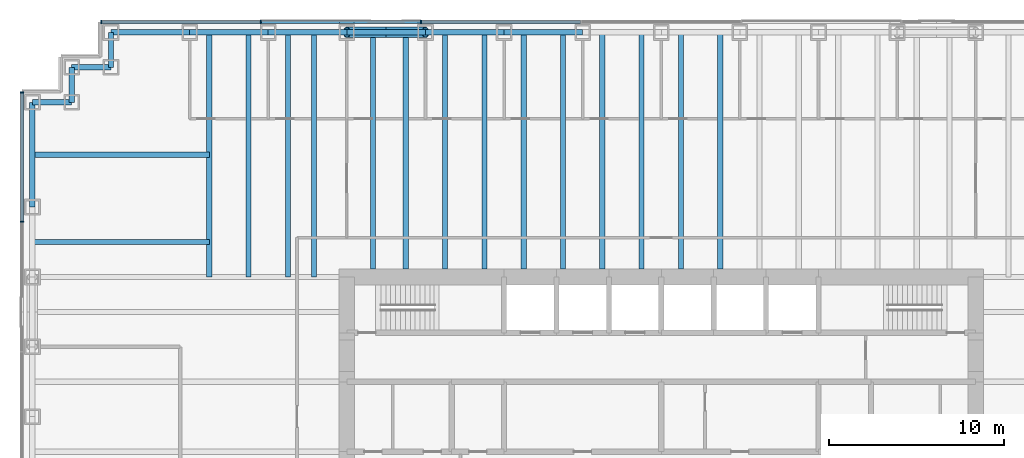
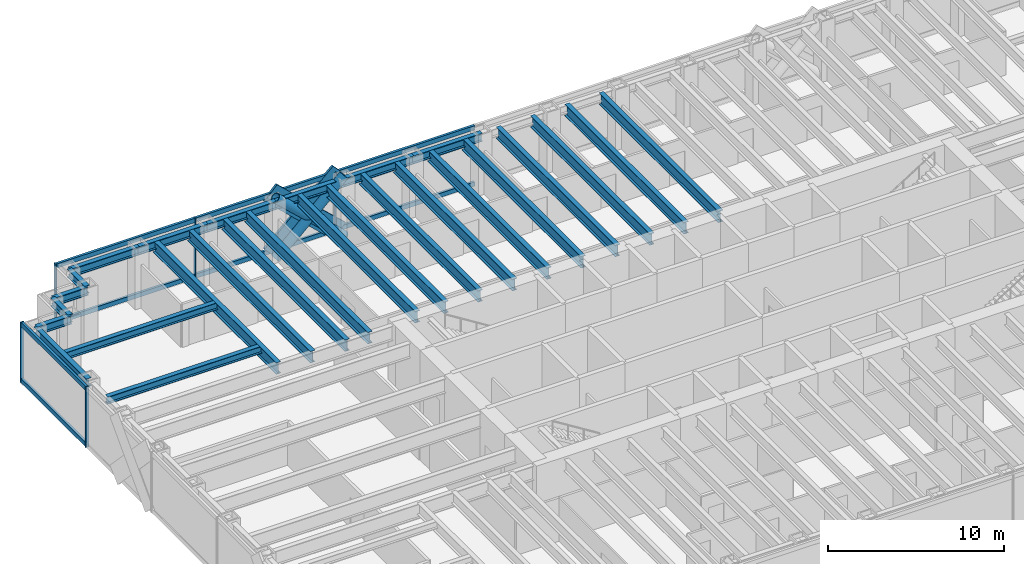
# One storey, part 6 of 19: 27 beams, 17 members, 2 elements without a shape of their own.
"""IFC4 building model written with IfcOpenShell, lengths in metres."""

from ifc_helpers import new_model, si_unit, direction, frame, origin, origin_2d, place, context, subcontext, project, spatial, rectangle, hollow_circle, i_section, extrude, material, material_profile, profile_set, type_object, element, aggregate, save


model = new_model("IFC4")

# Units and contexts
model_context = context("Model", 3, precision=1e-05, world=origin(), true_north=direction((0.0, 1.0)))
body_context = subcontext(model_context, "Body", "Model", "MODEL_VIEW")
ifc_project = project(units=[si_unit("LENGTHUNIT", "METRE"), si_unit("AREAUNIT", "SQUARE_METRE"), si_unit("VOLUMEUNIT", "CUBIC_METRE"), si_unit("PLANEANGLEUNIT", "RADIAN"), si_unit("MASSUNIT", "GRAM", prefix="KILO")], contexts=[model_context])

# Site, building, storey
site_placement = place(None, origin())
site = spatial("IfcSite", under=ifc_project, at=site_placement, CompositionType="ELEMENT")
building_placement = place(site_placement, origin())
building = spatial("IfcBuilding", under=site, at=building_placement, Name="Rheinbord Bourse Tower", CompositionType="ELEMENT")
storey_placement = place(building_placement, frame((0.0, 0.0, 167.699951171875)))
storey = spatial("IfcBuildingStorey", under=building, at=storey_placement, Name="L37", CompositionType="ELEMENT", Elevation=167.699951171875)

# Curtain wall, members
ifc_material_1 = material(Name="Dark glass and black aluminium", Category="aluminium")
curtain_wall_type = type_object("IfcCurtainWallType", Name="CW2 DARK GLASS CURTAIN WALL", PredefinedType="USERDEFINED", material=ifc_material_1)
curtain_wall_1_placement = place(storey_placement, origin())
curtain_wall_1 = element("IfcCurtainWall", 1, at=curtain_wall_1_placement, inside=storey, type_object=curtain_wall_type, Name="Curtain wall CW2 N L37", ObjectType="UNITISED CURTAIN WALL", PredefinedType="USERDEFINED")
ifc_material_2 = material(Name="Black anodised aluminium", Category="aluminium")
ifc_material_profile_1 = material_profile(ifc_material_2, rectangle(XDim=0.159912109375, YDim=1.2099609375, at=origin_2d()), Name="CW2 DIAGONAL MULLION 1210x160")
ifc_profile_set_1 = profile_set([ifc_material_profile_1], Name="Black anodised aluminium")
member_type_1 = type_object("IfcMemberType", Name="CW2 BLACK DIAGONAL MULLION", PredefinedType="USERDEFINED", material=ifc_profile_set_1)
member_1_placement = place(storey_placement, frame((22.5, 46.60009765625, 0.0), z_axis=(-0.73105922506, 0.0, 0.682314010889), x_axis=(0.0, -1.0, 0.0)))
member_1 = element("IfcMember", 2, at=member_1_placement, type_object=member_type_1, Name="CW2 diagonal mullion b", ObjectType="DIAGONAL MULLION", PredefinedType="USERDEFINED", context=body_context, shape_type="SweptSolid", body=[
    extrude(rectangle(XDim=0.159912109375, YDim=1.2099609375, at=origin_2d()), origin(), (0.0, 0.0, 1.0), 6.155517578125),
])
member_2_placement = place(storey_placement, frame((18.0, 46.60009765625, 0.0), z_axis=(0.73105922506, 0.0, 0.682314010889), x_axis=(0.0, 1.0, 0.0)))
member_2 = element("IfcMember", 3, at=member_2_placement, type_object=member_type_1, Name="CW2 diagonal mullion d", ObjectType="DIAGONAL MULLION", PredefinedType="USERDEFINED", context=body_context, shape_type="SweptSolid", body=[
    extrude(rectangle(XDim=0.159912109375, YDim=1.2099609375, at=origin_2d()), origin(), (0.0, 0.0, 1.0), 6.155517578125),
])
ifc_material_3 = material(Name="Black anodised aluminium", Category="aluminium")
ifc_material_profile_2 = material_profile(ifc_material_3, rectangle(XDim=0.219970703125, YDim=0.070068359375, at=origin_2d()), Name="CW2 MULLION 70x220")
ifc_profile_set_2 = profile_set([ifc_material_profile_2], Name="Black anodised aluminium")
member_type_2 = type_object("IfcMemberType", Name="CW2 BLACK MULLION", PredefinedType="MULLION", material=ifc_profile_set_2)
member_3_placement = place(storey_placement, frame((22.242919921875, 46.60009765625, 0.0), z_axis=(0.0, 0.0, 1.0), x_axis=(0.0, -1.0, 0.0)))
member_3 = element("IfcMember", 4, at=member_3_placement, type_object=member_type_2, Name="CW2 mullion 6", PredefinedType="MULLION", context=body_context, shape_type="SweptSolid", body=[
    extrude(rectangle(XDim=0.219970703125, YDim=0.070068359375, at=origin_2d()), origin(), (0.0, 0.0, 1.0), 4.199951171875),
])
member_4_placement = place(storey_placement, frame((13.071533203125, 46.60009765625, 0.0), z_axis=(0.0, 0.0, 1.0), x_axis=(0.0, -1.0, 0.0)))
member_4 = element("IfcMember", 5, at=member_4_placement, type_object=member_type_2, Name="CW2 mullion 7", PredefinedType="MULLION", context=body_context, shape_type="SweptSolid", body=[
    extrude(rectangle(XDim=0.219970703125, YDim=0.070068359375, at=origin_2d()), origin(), (0.0, 0.0, 1.0), 4.199951171875),
])
member_5_placement = place(storey_placement, frame((3.93505859375, 46.60009765625, 0.0), z_axis=(0.0, 0.0, 1.0), x_axis=(0.0, -1.0, 0.0)))
member_5 = element("IfcMember", 6, at=member_5_placement, type_object=member_type_2, Name="CW2 mullion 8", PredefinedType="MULLION", context=body_context, shape_type="SweptSolid", body=[
    extrude(rectangle(XDim=0.219970703125, YDim=0.070068359375, at=origin_2d()), origin(), (0.0, 0.0, 1.0), 4.199951171875),
])

curtain_wall_2_placement = place(storey_placement, origin())
curtain_wall_2 = element("IfcCurtainWall", 7, at=curtain_wall_2_placement, inside=storey, type_object=curtain_wall_type, Name="Curtain wall CW2 W L37", ObjectType="UNITISED CURTAIN WALL", PredefinedType="USERDEFINED")
member_6_placement = place(storey_placement, frame((-0.60009765625, 42.56494140625, 0.0), z_axis=(0.0, 0.0, 1.0), x_axis=(1.0, 0.0, 0.0)))
member_6 = element("IfcMember", 8, at=member_6_placement, type_object=member_type_2, Name="CW2 mullion 1", PredefinedType="MULLION", context=body_context, shape_type="SweptSolid", body=[
    extrude(rectangle(XDim=0.219970703125, YDim=0.070068359375, at=origin_2d()), origin(), (0.0, 0.0, 1.0), 4.199951171875),
])
member_7_placement = place(storey_placement, frame((-0.60009765625, 35.159912109375, 0.0), z_axis=(0.0, 0.0, 1.0), x_axis=(1.0, 0.0, 0.0)))
member_7 = element("IfcMember", 9, at=member_7_placement, type_object=member_type_2, Name="CW2 mullion 2", PredefinedType="MULLION", context=body_context, shape_type="SweptSolid", body=[
    extrude(rectangle(XDim=0.219970703125, YDim=0.070068359375, at=origin_2d()), origin(), (0.0, 0.0, 1.0), 4.199951171875),
])

# Member
ifc_material_4 = material(Name="Black anodised aluminium", Category="aluminium")
ifc_material_profile_3 = material_profile(ifc_material_4, rectangle(XDim=0.159912109375, YDim=0.300048828125, at=origin_2d()), Name="CW2 TRANSOM 300x160")
ifc_profile_set_3 = profile_set([ifc_material_profile_3], Name="Black anodised aluminium")
member_type_3 = type_object("IfcMemberType", Name="CW2 BLACK TRANSOM", PredefinedType="USERDEFINED", material=ifc_profile_set_3)
member_8_placement = place(storey_placement, frame((31.37939453125, 46.60009765625, 0.150146484375), z_axis=(-1.0, 0.0, 0.0), x_axis=(0.0, -1.0, 0.0)))
member_8 = element("IfcMember", 10, at=member_8_placement, type_object=member_type_3, Name="CW2 transom 5.1", ObjectType="TRANSOM", PredefinedType="USERDEFINED", context=body_context, shape_type="SweptSolid", body=[
    extrude(rectangle(XDim=0.159912109375, YDim=0.300048828125, at=origin_2d()), origin(), (0.0, 0.0, 1.0), 9.1015625),
])

member_9_placement = place(storey_placement, frame((31.37939453125, 46.60009765625, 4.050048828125), z_axis=(-1.0, 0.0, 0.0), x_axis=(0.0, -1.0, 0.0)))
member_9 = element("IfcMember", 11, at=member_9_placement, type_object=member_type_3, Name="CW2 transom 5.2", ObjectType="TRANSOM", PredefinedType="USERDEFINED", context=body_context, shape_type="SweptSolid", body=[
    extrude(rectangle(XDim=0.159912109375, YDim=0.300048828125, at=origin_2d()), origin(), (0.0, 0.0, 1.0), 9.1015625),
])

member_10_placement = place(storey_placement, frame((22.207763671875, 46.60009765625, 0.150146484375), z_axis=(-1.0, 0.0, 0.0), x_axis=(0.0, -1.0, 0.0)))
member_10 = element("IfcMember", 12, at=member_10_placement, type_object=member_type_3, Name="CW2 transom 6.1", ObjectType="TRANSOM", PredefinedType="USERDEFINED", context=body_context, shape_type="SweptSolid", body=[
    extrude(rectangle(XDim=0.159912109375, YDim=0.300048828125, at=origin_2d()), origin(), (0.0, 0.0, 1.0), 9.101318359375),
])

member_11_placement = place(storey_placement, frame((22.207763671875, 46.60009765625, 4.050048828125), z_axis=(-1.0, 0.0, 0.0), x_axis=(0.0, -1.0, 0.0)))
member_11 = element("IfcMember", 13, at=member_11_placement, type_object=member_type_3, Name="CW2 transom 6.2", ObjectType="TRANSOM", PredefinedType="USERDEFINED", context=body_context, shape_type="SweptSolid", body=[
    extrude(rectangle(XDim=0.159912109375, YDim=0.300048828125, at=origin_2d()), origin(), (0.0, 0.0, 1.0), 9.101318359375),
])

member_12_placement = place(storey_placement, frame((13.036376953125, 46.60009765625, 0.150146484375), z_axis=(-1.0, 0.0, 0.0), x_axis=(0.0, -1.0, 0.0)))
member_12 = element("IfcMember", 14, at=member_12_placement, type_object=member_type_3, Name="CW2 transom 7.1", ObjectType="TRANSOM", PredefinedType="USERDEFINED", context=body_context, shape_type="SweptSolid", body=[
    extrude(rectangle(XDim=0.159912109375, YDim=0.300048828125, at=origin_2d()), origin(), (0.0, 0.0, 1.0), 9.06640625),
])

member_13_placement = place(storey_placement, frame((13.036376953125, 46.60009765625, 4.050048828125), z_axis=(-1.0, 0.0, 0.0), x_axis=(0.0, -1.0, 0.0)))
member_13 = element("IfcMember", 15, at=member_13_placement, type_object=member_type_3, Name="CW2 transom 7.2", ObjectType="TRANSOM", PredefinedType="USERDEFINED", context=body_context, shape_type="SweptSolid", body=[
    extrude(rectangle(XDim=0.159912109375, YDim=0.300048828125, at=origin_2d()), origin(), (0.0, 0.0, 1.0), 9.06640625),
])

aggregate(curtain_wall_1, [member_3, member_4, member_5, member_8, member_9, member_10, member_11, member_12, member_13, member_1, member_2])

member_14_placement = place(storey_placement, frame((-0.60009765625, 42.530029296875, 0.150146484375), z_axis=(0.0, -1.0, 0.0), x_axis=(1.0, 0.0, 0.0)))
member_14 = element("IfcMember", 16, at=member_14_placement, type_object=member_type_3, Name="CW2 transom 1.1", ObjectType="TRANSOM", PredefinedType="USERDEFINED", context=body_context, shape_type="SweptSolid", body=[
    extrude(rectangle(XDim=0.159912109375, YDim=0.300048828125, at=origin_2d()), origin(), (0.0, 0.0, 1.0), 7.3349609375),
])

member_15_placement = place(storey_placement, frame((-0.60009765625, 42.530029296875, 4.050048828125), z_axis=(0.0, -1.0, 0.0), x_axis=(1.0, 0.0, 0.0)))
member_15 = element("IfcMember", 17, at=member_15_placement, type_object=member_type_3, Name="CW2 transom 1.2", ObjectType="TRANSOM", PredefinedType="USERDEFINED", context=body_context, shape_type="SweptSolid", body=[
    extrude(rectangle(XDim=0.159912109375, YDim=0.300048828125, at=origin_2d()), origin(), (0.0, 0.0, 1.0), 7.3349609375),
])

aggregate(curtain_wall_2, [member_6, member_7, member_14, member_15])

# Beams
ifc_material_5 = material(Name="Steel S460", Category="steel")
ifc_material_profile_4 = material_profile(ifc_material_5, i_section(OverallWidth=0.300048828125, OverallDepth=0.800048828125, WebThickness=0.017578125, FlangeThickness=0.032958984375, at=origin_2d()), Name="HEB 800")
ifc_profile_set_4 = profile_set([ifc_material_profile_4], Name="Steel S460")
beam_type_1 = type_object("IfcBeamType", Name="FLOOR BEAM HEB 800", PredefinedType="BEAM", material=ifc_profile_set_4)
for number, where, z_axis, x_axis, name in (
    (18, (10.125, 46.0, 3.64013671875), (0.0, -1.0, 0.0), (1.0, 0.0, 0.0), "Floor beam N-9a L38"),
    (19, (12.375, 46.0, 3.64013671875), (0.0, -1.0, 0.0), (1.0, 0.0, 0.0), "Floor beam N-9b L38"),
    (20, (14.625, 46.0, 3.64013671875), (0.0, -1.0, 0.0), (1.0, 0.0, 0.0), "Floor beam N-13.5a L38"),
    (21, (16.125, 46.0, 3.64013671875), (0.0, -1.0, 0.0), (1.0, 0.0, 0.0), "Floor beam N-13.5b L38"),
):
    element("IfcBeam", number, at=place(storey_placement, frame(where, z_axis=z_axis, x_axis=x_axis)), inside=storey, type_object=beam_type_1, Name=name, PredefinedType="BEAM", context=body_context, shape_type="SweptSolid", body=[
        extrude(i_section(OverallWidth=0.300048828125, OverallDepth=0.800048828125, WebThickness=0.017578125, FlangeThickness=0.032958984375, at=origin_2d()), origin(), (0.0, 0.0, 1.0), 14.0),
    ])
for number, where, z_axis, x_axis, name in (
    (22, (19.5, 46.0, 3.64013671875), (0.0, -1.0, 0.0), (1.0, 0.0, 0.0), "Floor beam N-18a L38"),
    (23, (21.375, 46.0, 3.64013671875), (0.0, -1.0, 0.0), (1.0, 0.0, 0.0), "Floor beam N-18b L38"),
    (24, (23.625, 46.0, 3.64013671875), (0.0, -1.0, 0.0), (1.0, 0.0, 0.0), "Floor beam N-22.5a L38"),
    (25, (25.875, 46.0, 3.64013671875), (0.0, -1.0, 0.0), (1.0, 0.0, 0.0), "Floor beam N-22.5b L38"),
    (26, (28.125, 46.0, 3.64013671875), (0.0, -1.0, 0.0), (1.0, 0.0, 0.0), "Floor beam N-27a L38"),
    (27, (30.375, 46.0, 3.64013671875), (0.0, -1.0, 0.0), (1.0, 0.0, 0.0), "Floor beam N-27b L38"),
    (28, (32.625, 46.0, 3.64013671875), (0.0, -1.0, 0.0), (1.0, 0.0, 0.0), "Floor beam N-31.5a L38"),
    (29, (34.875, 46.0, 3.64013671875), (0.0, -1.0, 0.0), (1.0, 0.0, 0.0), "Floor beam N-31.5b L38"),
    (30, (37.125, 46.0, 3.64013671875), (0.0, -1.0, 0.0), (1.0, 0.0, 0.0), "Floor beam N-36a L38"),
    (31, (39.375, 46.0, 3.64013671875), (0.0, -1.0, 0.0), (1.0, 0.0, 0.0), "Floor beam N-36b L38"),
):
    element("IfcBeam", number, at=place(storey_placement, frame(where, z_axis=z_axis, x_axis=x_axis)), inside=storey, type_object=beam_type_1, Name=name, PredefinedType="BEAM", context=body_context, shape_type="SweptSolid", body=[
        extrude(i_section(OverallWidth=0.300048828125, OverallDepth=0.800048828125, WebThickness=0.017578125, FlangeThickness=0.032958984375, at=origin_2d()), origin(), (0.0, 0.0, 1.0), 13.550048828125),
    ])

# Members
ifc_material_6 = material(Name="Steel S460", Category="steel")
ifc_material_profile_5 = material_profile(ifc_material_6, hollow_circle(Radius=0.304931640625, WallThickness=0.0400390625, at=origin_2d()), Name="CHS 610x40")
ifc_profile_set_5 = profile_set([ifc_material_profile_5], Name="Steel S460")
member_type_4 = type_object("IfcMemberType", Name="MEGABRACE CHS 610x40", PredefinedType="BRACE", material=ifc_profile_set_5)
for number, where, z_axis, x_axis, name in (
    (32, (22.5, 46.0, 0.0), (-0.73105922506, 0.0, 0.682314010889), (0.0, -1.0, 0.0), "Megabrace N face line b L37"),
    (33, (18.0, 46.0, 0.0), (0.73105922506, 0.0, 0.682314010889), (0.0, 1.0, 0.0), "Megabrace N face line d L37"),
):
    element("IfcMember", number, at=place(storey_placement, frame(where, z_axis=z_axis, x_axis=x_axis)), inside=storey, type_object=member_type_4, Name=name, PredefinedType="BRACE", context=body_context, shape_type="SweptSolid", body=[
        extrude(hollow_circle(Radius=0.304931640625, WallThickness=0.0400390625, at=origin_2d()), origin(), (0.0, 0.0, 1.0), 6.155517578125),
    ])

# Beams
ifc_material_7 = material(Name="Steel S460", Category="steel")
ifc_material_profile_6 = material_profile(ifc_material_7, i_section(OverallWidth=0.305908203125, OverallDepth=0.572021484375, WebThickness=0.02099609375, FlangeThickness=0.0400390625, at=origin_2d()), Name="HEM 550")
ifc_profile_set_6 = profile_set([ifc_material_profile_6], Name="Steel S460")
beam_type_2 = type_object("IfcBeamType", Name="SPANDREL HEM 550", PredefinedType="SPANDREL", material=ifc_profile_set_6)
for number, where, z_axis, x_axis, name in (
    (34, (31.5, 46.0, 3.754150390625), (-1.0, 0.0, 0.0), (0.0, -1.0, 0.0), "Spandrel N-31.5-N-27 under L38"),
    (35, (27.0, 46.0, 3.754150390625), (-1.0, 0.0, 0.0), (0.0, -1.0, 0.0), "Spandrel N-27-N-22.5 under L38"),
    (36, (22.5, 46.0, 3.754150390625), (-1.0, 0.0, 0.0), (0.0, -1.0, 0.0), "Spandrel N-22.5-N-18 under L38"),
    (37, (18.0, 46.0, 3.754150390625), (-1.0, 0.0, 0.0), (0.0, -1.0, 0.0), "Spandrel N-18-N-13.5 under L38"),
    (38, (13.5, 46.0, 3.754150390625), (-1.0, 0.0, 0.0), (0.0, -1.0, 0.0), "Spandrel N-13.5-N-9 under L38"),
    (39, (9.0, 46.0, 3.754150390625), (-1.0, 0.0, 0.0), (0.0, -1.0, 0.0), "Spandrel N-9-NW-E under L38"),
):
    element("IfcBeam", number, at=place(storey_placement, frame(where, z_axis=z_axis, x_axis=x_axis)), inside=storey, type_object=beam_type_2, Name=name, PredefinedType="SPANDREL", context=body_context, shape_type="SweptSolid", body=[
        extrude(i_section(OverallWidth=0.305908203125, OverallDepth=0.572021484375, WebThickness=0.02099609375, FlangeThickness=0.0400390625, at=origin_2d()), origin(), (0.0, 0.0, 1.0), 4.5),
    ])
beam_1_placement = place(storey_placement, frame((4.5, 46.0, 3.754150390625), z_axis=(0.0, -1.0, 0.0), x_axis=(1.0, 0.0, 0.0)))
element("IfcBeam", 40, at=beam_1_placement, inside=storey, type_object=beam_type_2, Name="Spandrel NW-E-NW-D under L38", PredefinedType="SPANDREL", context=body_context, shape_type="SweptSolid", body=[
    extrude(i_section(OverallWidth=0.305908203125, OverallDepth=0.572021484375, WebThickness=0.02099609375, FlangeThickness=0.0400390625, at=origin_2d()), origin(), (0.0, 0.0, 1.0), 2.0),
])
beam_2_placement = place(storey_placement, frame((4.5, 44.0, 3.754150390625), z_axis=(-1.0, 0.0, 0.0), x_axis=(0.0, -1.0, 0.0)))
element("IfcBeam", 41, at=beam_2_placement, inside=storey, type_object=beam_type_2, Name="Spandrel NW-D-NW-C under L38", PredefinedType="SPANDREL", context=body_context, shape_type="SweptSolid", body=[
    extrude(i_section(OverallWidth=0.305908203125, OverallDepth=0.572021484375, WebThickness=0.02099609375, FlangeThickness=0.0400390625, at=origin_2d()), origin(), (0.0, 0.0, 1.0), 2.25),
])
beam_3_placement = place(storey_placement, frame((2.25, 44.0, 3.754150390625), z_axis=(0.0, -1.0, 0.0), x_axis=(1.0, 0.0, 0.0)))
element("IfcBeam", 42, at=beam_3_placement, inside=storey, type_object=beam_type_2, Name="Spandrel NW-C-NW-B under L38", PredefinedType="SPANDREL", context=body_context, shape_type="SweptSolid", body=[
    extrude(i_section(OverallWidth=0.305908203125, OverallDepth=0.572021484375, WebThickness=0.02099609375, FlangeThickness=0.0400390625, at=origin_2d()), origin(), (0.0, 0.0, 1.0), 2.0),
])
beam_4_placement = place(storey_placement, frame((2.25, 42.0, 3.754150390625), z_axis=(-1.0, 0.0, 0.0), x_axis=(0.0, -1.0, 0.0)))
element("IfcBeam", 43, at=beam_4_placement, inside=storey, type_object=beam_type_2, Name="Spandrel NW-B-NW-A under L38", PredefinedType="SPANDREL", context=body_context, shape_type="SweptSolid", body=[
    extrude(i_section(OverallWidth=0.305908203125, OverallDepth=0.572021484375, WebThickness=0.02099609375, FlangeThickness=0.0400390625, at=origin_2d()), origin(), (0.0, 0.0, 1.0), 2.25),
])
beam_5_placement = place(storey_placement, frame((0.0, 42.0, 3.754150390625), z_axis=(0.0, -1.0, 0.0), x_axis=(1.0, 0.0, 0.0)))
element("IfcBeam", 44, at=beam_5_placement, inside=storey, type_object=beam_type_2, Name="Spandrel NW-A-W-36 under L38", PredefinedType="SPANDREL", context=body_context, shape_type="SweptSolid", body=[
    extrude(i_section(OverallWidth=0.305908203125, OverallDepth=0.572021484375, WebThickness=0.02099609375, FlangeThickness=0.0400390625, at=origin_2d()), origin(), (0.0, 0.0, 1.0), 6.0),
])
ifc_material_8 = material(Name="Steel S460", Category="steel")
ifc_material_profile_7 = material_profile(ifc_material_8, i_section(OverallWidth=0.300048828125, OverallDepth=0.5, WebThickness=0.014404296875, FlangeThickness=0.028076171875, at=origin_2d()), Name="HEB 500")
ifc_profile_set_7 = profile_set([ifc_material_profile_7], Name="Steel S460")
beam_type_3 = type_object("IfcBeamType", Name="TIE BEAM HEB 500", PredefinedType="JOIST", material=ifc_profile_set_7)
for number, where, z_axis, x_axis, name in (
    (45, (0.0, 34.0, 3.7900390625), (1.0, 0.0, 0.0), (0.0, 1.0, 0.0), "Tie west 34 L38"),
    (46, (0.0, 39.0, 3.7900390625), (1.0, 0.0, 0.0), (0.0, 1.0, 0.0), "Tie west 39 L38"),
):
    element("IfcBeam", number, at=place(storey_placement, frame(where, z_axis=z_axis, x_axis=x_axis)), inside=storey, type_object=beam_type_3, Name=name, PredefinedType="JOIST", context=body_context, shape_type="SweptSolid", body=[
        extrude(i_section(OverallWidth=0.300048828125, OverallDepth=0.5, WebThickness=0.014404296875, FlangeThickness=0.028076171875, at=origin_2d()), origin(), (0.0, 0.0, 1.0), 10.125),
    ])

save(model, "model.ifc")
